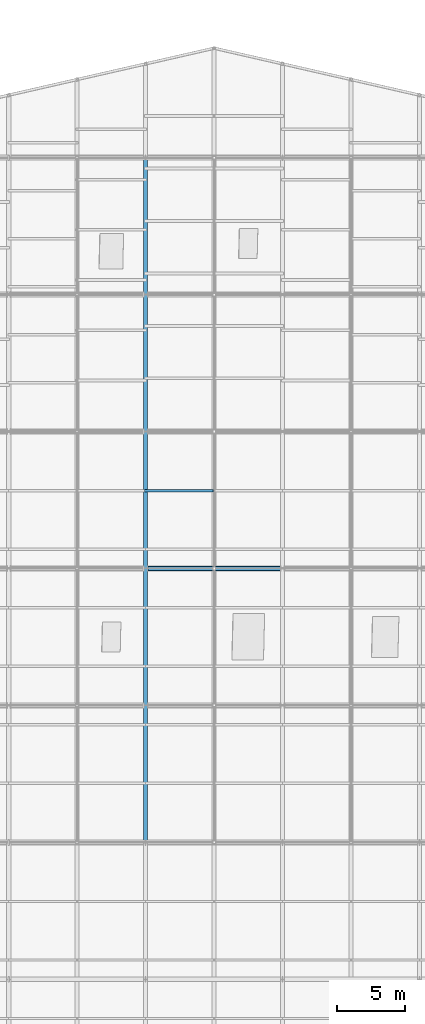
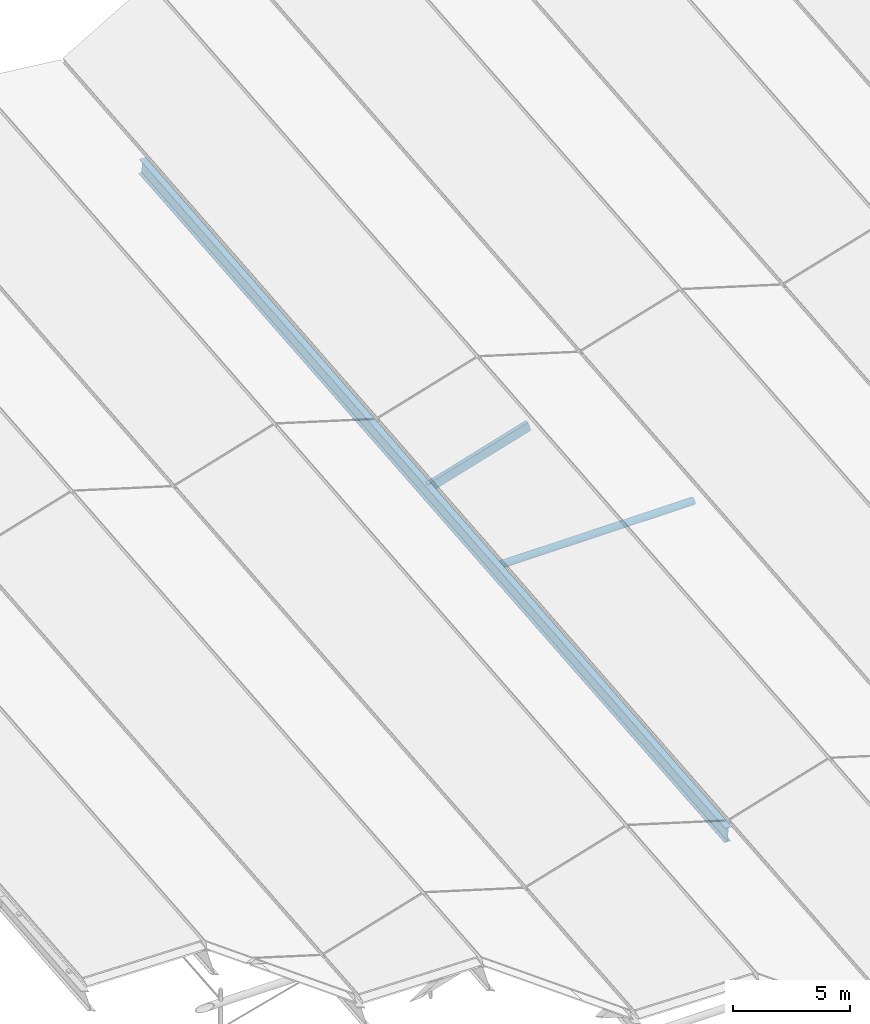
# One storey, part 30 of 90: 2 beams, 1 member.
"""IFC4 building model written with IfcOpenShell, lengths in metres."""

from ifc_helpers import new_model, si_unit, direction, frame, origin, origin_2d, place, context, subcontext, project, spatial, rectangle, hollow_circle, i_section, extrude, material, material_profile, profile_set, type_object, element, save


model = new_model("IFC4")

# Units and contexts
model_context = context("Model", 3, precision=1e-05, world=origin(), true_north=direction((0.0, 1.0)))
body_context = subcontext(model_context, "Body", "Model", "MODEL_VIEW")
ifc_project = project(units=[si_unit("LENGTHUNIT", "METRE"), si_unit("AREAUNIT", "SQUARE_METRE"), si_unit("VOLUMEUNIT", "CUBIC_METRE"), si_unit("PLANEANGLEUNIT", "RADIAN"), si_unit("MASSUNIT", "GRAM", prefix="KILO"), si_unit("THERMODYNAMICTEMPERATUREUNIT", "KELVIN"), si_unit("POWERUNIT", "WATT")], contexts=[model_context])

# Site, building, storey
site_placement = place(None, origin())
site = spatial("IfcSite", under=ifc_project, at=site_placement, CompositionType="ELEMENT")
building_placement = place(site_placement, origin())
building = spatial("IfcBuilding", under=site, at=building_placement, Name="Korenveer Ferry Terminal", CompositionType="ELEMENT")
storey_placement = place(building_placement, frame((0.0, 0.0, 22.199951171875)))
storey = spatial("IfcBuildingStorey", under=building, at=storey_placement, Name="RF", CompositionType="ELEMENT", Elevation=22.199951171875)

# Beam
ifc_material_1 = material(Name="Steel S355", Category="steel")
ifc_material_profile_1 = material_profile(ifc_material_1, i_section(OverallWidth=0.300048828125, OverallDepth=0.800048828125, WebThickness=0.017578125, FlangeThickness=0.032958984375, FilletRadius=0.030029296875, at=origin_2d()), Name="HEB 800")
ifc_profile_set_1 = profile_set([ifc_material_profile_1], Name="Steel S355")
beam_type_1 = type_object("IfcBeamType", Name="STR-BM-HEB800", PredefinedType="BEAM", material=ifc_profile_set_1)
beam_1_placement = place(storey_placement, frame((83.0, 50.0, -8.677734375), z_axis=(0.0, 0.995902926336, 0.09042876376), x_axis=(-1.0, 0.0, 0.0)))
element("IfcBeam", 1, at=beam_1_placement, inside=storey, type_object=beam_type_1, Name="Folded roof valley girder 36", PredefinedType="BEAM", context=body_context, shape_type="SweptSolid", body=[
    extrude(i_section(OverallWidth=0.300048828125, OverallDepth=0.800048828125, WebThickness=0.017578125, FlangeThickness=0.032958984375, FilletRadius=0.030029296875, at=origin_2d()), origin(), (0.0, 0.0, 1.0), 50.205810546875),
])

# Member
ifc_material_2 = material(Name="Glulam GL28h", Category="wood")
ifc_material_profile_2 = material_profile(ifc_material_2, rectangle(XDim=0.199951171875, YDim=0.47998046875, at=origin_2d()), Name="GL 200x480")
ifc_profile_set_2 = profile_set([ifc_material_profile_2], Name="Glulam GL28h")
member_type = type_object("IfcMemberType", Name="STR-PUR-GL200", PredefinedType="PURLIN", material=ifc_profile_set_2)
member_placement = place(storey_placement, frame((83.0, 75.678466796875, -6.187744140625), z_axis=(0.957310140112, 0.0, 0.289062788401), x_axis=(0.0, 1.0, 0.0)))
element("IfcMember", 2, at=member_placement, inside=storey, type_object=member_type, Name="Folded roof glulam purlin 126", PredefinedType="PURLIN", context=body_context, shape_type="SweptSolid", body=[
    extrude(rectangle(XDim=0.199951171875, YDim=0.47998046875, at=origin_2d()), origin(), (0.0, 0.0, 1.0), 5.222900390625),
])

# Beam
ifc_material_profile_3 = material_profile(ifc_material_1, hollow_circle(Radius=0.177734375, WallThickness=0.01611328125, at=origin_2d()), Name="CHS 355.6x16")
ifc_profile_set_3 = profile_set([ifc_material_profile_3], Name="Steel S355")
beam_type_2 = type_object("IfcBeamType", Name="STR-RFG-CHS355", PredefinedType="USERDEFINED", material=ifc_profile_set_3)
beam_2_placement = place(storey_placement, frame((83.159912109375, 70.0, -6.861572265625), z_axis=(1.0, 0.0, 0.0), x_axis=(0.0, 1.0, 0.0)))
element("IfcBeam", 3, at=beam_2_placement, inside=storey, type_object=beam_type_2, Name="Roof transverse tie girder 113", ObjectType="ROOF GIRDER", PredefinedType="USERDEFINED", context=body_context, shape_type="SweptSolid", body=[
    extrude(hollow_circle(Radius=0.177734375, WallThickness=0.01611328125, at=origin_2d()), origin(), (0.0, 0.0, 1.0), 9.68017578125),
])

save(model, "model.ifc")
